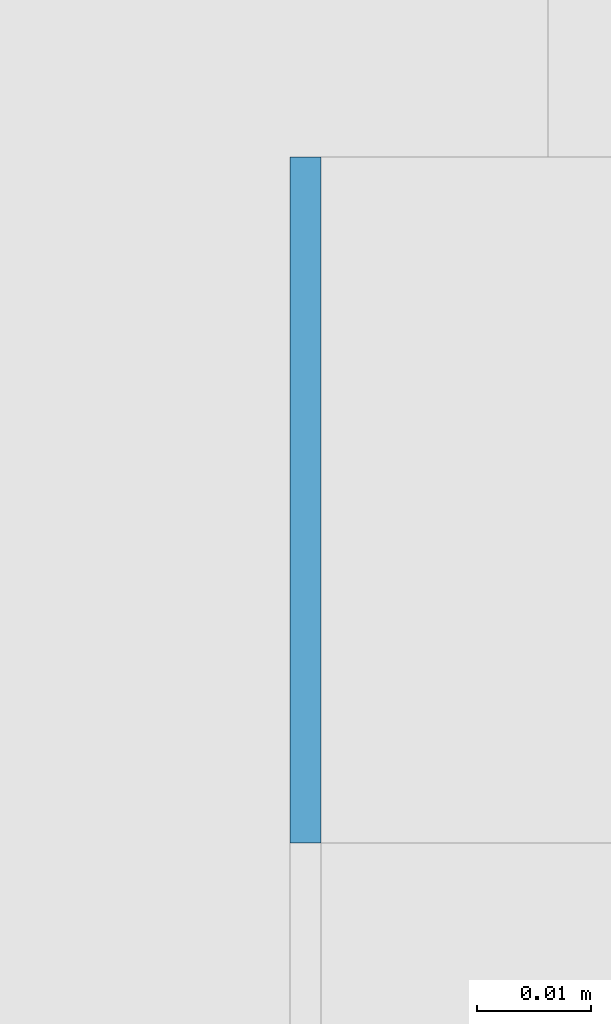
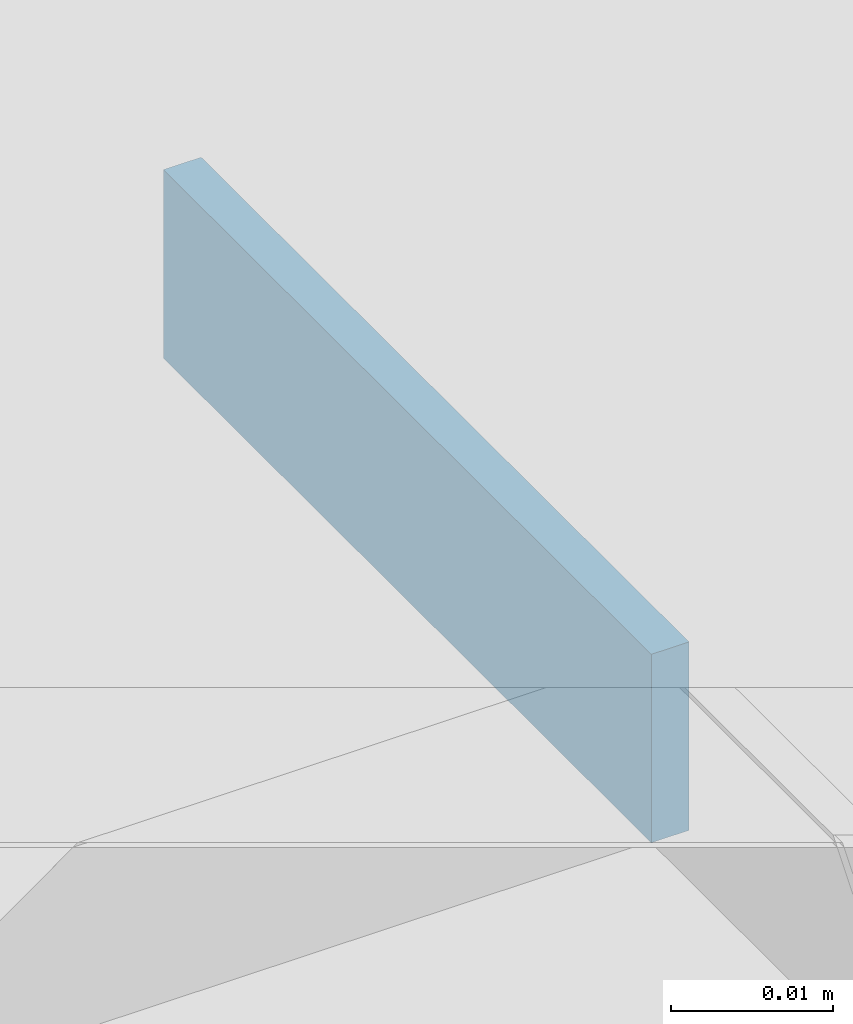
# One storey, part 509 of 646: 1 discrete accessory.
"""IFC4 building model written with IfcOpenShell, lengths in metres."""

from ifc_helpers import new_model, si_unit, direction, frame, origin, origin_2d, place, context, subcontext, project, spatial, rectangle, extrude, material, type_object, element, save


model = new_model("IFC4")

# Units and contexts
model_context = context("Model", 3, precision=1e-05, world=origin(), true_north=direction((0.0, 1.0)))
body_context = subcontext(model_context, "Body", "Model", "MODEL_VIEW")
ifc_project = project(units=[si_unit("LENGTHUNIT", "METRE"), si_unit("AREAUNIT", "SQUARE_METRE"), si_unit("VOLUMEUNIT", "CUBIC_METRE"), si_unit("PLANEANGLEUNIT", "RADIAN"), si_unit("MASSUNIT", "GRAM", prefix="KILO")], contexts=[model_context])

# Site, building, storey
site_placement = place(None, origin())
site = spatial("IfcSite", under=ifc_project, at=site_placement, CompositionType="ELEMENT")
building_placement = place(site_placement, origin())
building = spatial("IfcBuilding", under=site, at=building_placement, Name="Silverbay Arena", CompositionType="ELEMENT")
storey_placement = place(building_placement, frame((0.0, 0.0, 33.5)))
storey = spatial("IfcBuildingStorey", under=building, at=storey_placement, Name="L05", CompositionType="ELEMENT", Elevation=33.5)

# Discrete accessory
ifc_material = material(Name="Steel S355", Category="steel")
discrete_accessory_type = type_object("IfcDiscreteAccessoryType", Name="Steel bracket plate", PredefinedType="BRACKET", material=ifc_material)
discrete_accessory_placement = place(storey_placement, frame((207.128662109375, 72.030029296875, 12.98583984375), z_axis=(0.0, 0.0, 1.0), x_axis=(1.0, 0.0, 0.0)))
element("IfcDiscreteAccessory", 1, at=discrete_accessory_placement, inside=storey, type_object=discrete_accessory_type, Name="Curtain wall packing plate", PredefinedType="BRACKET", context=body_context, shape_type="SweptSolid", body=[
    extrude(rectangle(XDim=0.002685546875, YDim=0.06005859375, at=origin_2d()), origin(), (0.0, 0.0, 1.0), 0.01416015625),
])

save(model, "model.ifc")
